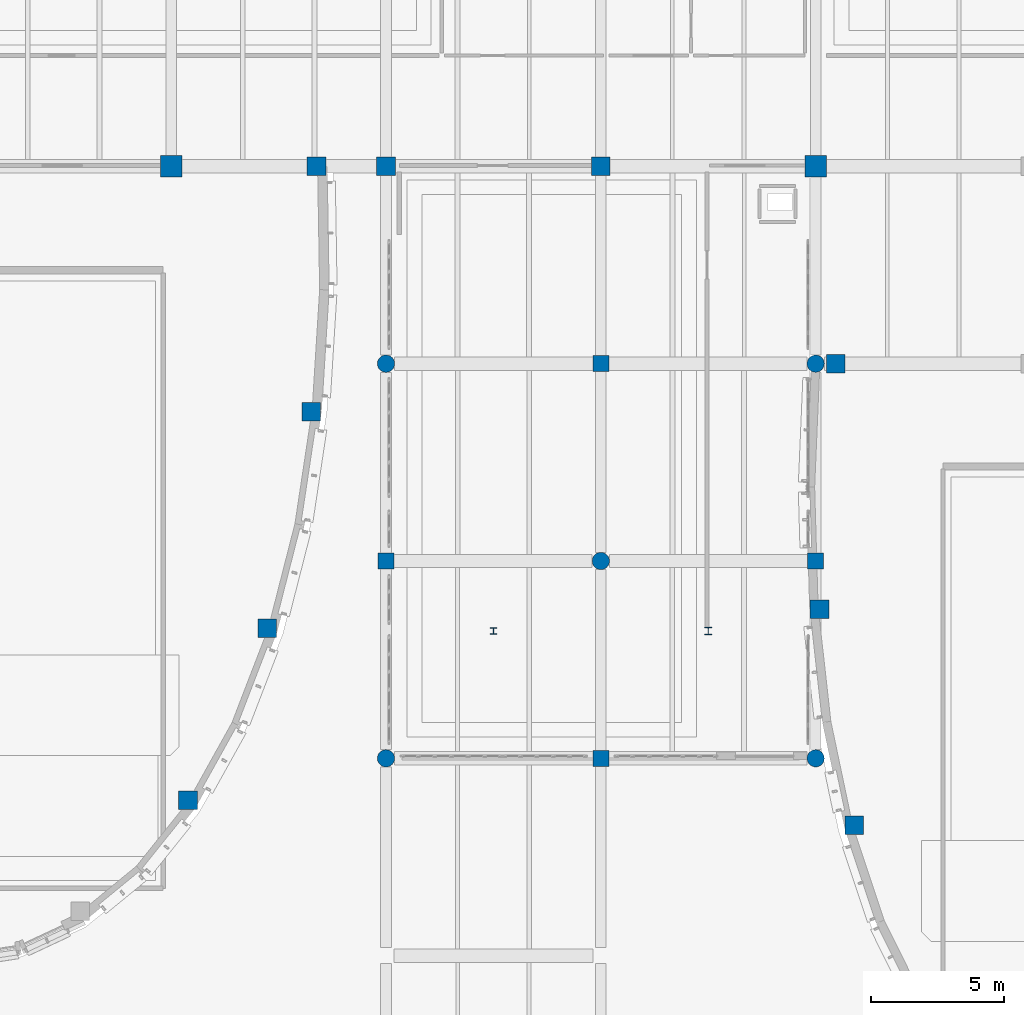
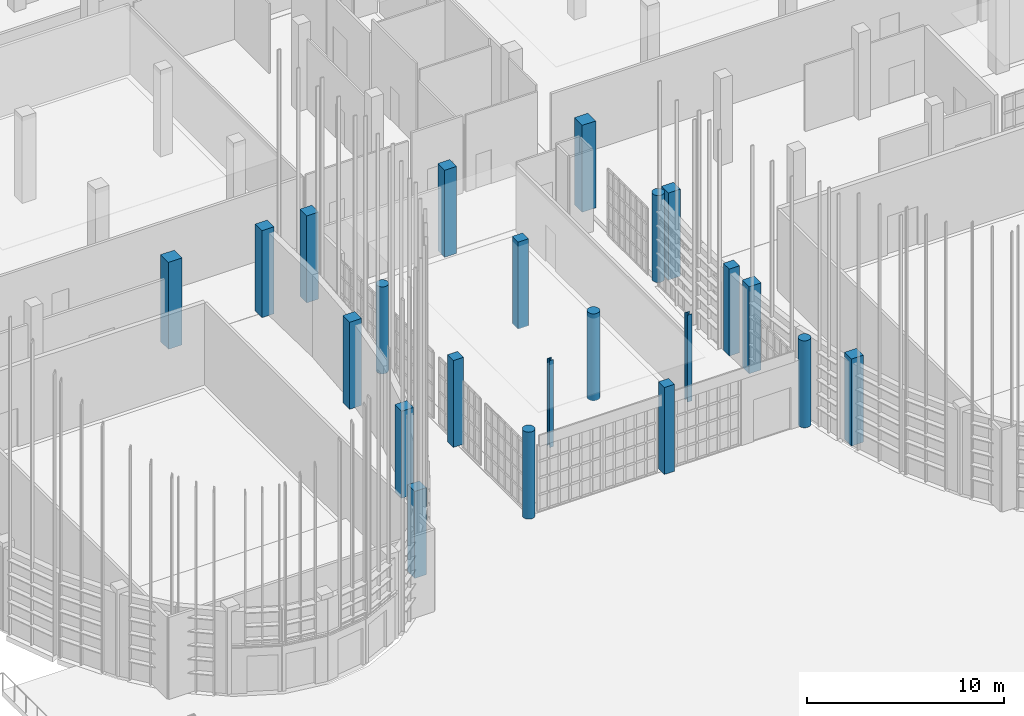
# One storey, part 6 of 372: 22 columns.
"""IFC4 building model written with IfcOpenShell, lengths in metres."""

from ifc_helpers import new_model, si_unit, direction, frame, origin, origin_2d, place, context, subcontext, project, spatial, rectangle, circle, i_section, extrude, material, material_profile, profile_set, type_object, element, save


model = new_model("IFC4")

# Units and contexts
model_context = context("Model", 3, precision=1e-05, world=origin(), true_north=direction((0.0, 1.0)))
body_context = subcontext(model_context, "Body", "Model", "MODEL_VIEW")
ifc_project = project(units=[si_unit("LENGTHUNIT", "METRE"), si_unit("AREAUNIT", "SQUARE_METRE"), si_unit("VOLUMEUNIT", "CUBIC_METRE"), si_unit("PLANEANGLEUNIT", "RADIAN"), si_unit("MASSUNIT", "GRAM", prefix="KILO")], contexts=[model_context])

# Site, building, storey
site_placement = place(None, origin())
site = spatial("IfcSite", under=ifc_project, at=site_placement, CompositionType="ELEMENT")
building_placement = place(site_placement, origin())
building = spatial("IfcBuilding", under=site, at=building_placement, Name="Kaelora Sail Theatre", CompositionType="ELEMENT")
storey_placement = place(building_placement, origin())
storey = spatial("IfcBuildingStorey", under=building, at=storey_placement, Name="L00", CompositionType="ELEMENT", Elevation=0.0)

# Columns
ifc_material_1 = material(Name="Steel S355", Category="steel")
ifc_material_profile_1 = material_profile(ifc_material_1, i_section(OverallWidth=0.239990234375, OverallDepth=0.239990234375, WebThickness=0.010009765625, FlangeThickness=0.01708984375, FilletRadius=0.02099609375, at=origin_2d()), Name="HEB 240")
ifc_profile_set_1 = profile_set([ifc_material_profile_1], Name="Steel S355")
column_type_1 = type_object("IfcColumnType", Name="STR-COL-C-HEB240", PredefinedType="COLUMN", material=ifc_profile_set_1)
column_1_placement = place(storey_placement, frame((110.85009765625, 43.5, 0.0), z_axis=(0.0, 0.0, 1.0), x_axis=(1.0, 0.0, 0.0)))
element("IfcColumn", 1, at=column_1_placement, inside=storey, type_object=column_type_1, Name="East Foyer portal column L00-03", PredefinedType="COLUMN", context=body_context, shape_type="SweptSolid", body=[
    extrude(i_section(OverallWidth=0.239990234375, OverallDepth=0.239990234375, WebThickness=0.010009765625, FlangeThickness=0.01708984375, FilletRadius=0.02099609375, at=origin_2d()), origin(), (0.0, 0.0, 1.0), 5.39990234375),
])
ifc_material_2 = material(Name="Steel S355", Category="steel")
ifc_material_profile_2 = material_profile(ifc_material_2, i_section(OverallWidth=0.280029296875, OverallDepth=0.280029296875, WebThickness=0.010498046875, FlangeThickness=0.01806640625, FilletRadius=0.02392578125, at=origin_2d()), Name="HEB 280")
ifc_profile_set_2 = profile_set([ifc_material_profile_2], Name="Steel S355")
column_type_2 = type_object("IfcColumnType", Name="STR-COL-C-HEB280", PredefinedType="COLUMN", material=ifc_profile_set_2)
column_2_placement = place(storey_placement, frame((118.949951171875, 43.5, 0.0), z_axis=(0.0, 0.0, 1.0), x_axis=(1.0, 0.0, 0.0)))
element("IfcColumn", 2, at=column_2_placement, inside=storey, type_object=column_type_2, Name="East Foyer portal column L00-04", PredefinedType="COLUMN", context=body_context, shape_type="SweptSolid", body=[
    extrude(i_section(OverallWidth=0.280029296875, OverallDepth=0.280029296875, WebThickness=0.010498046875, FlangeThickness=0.01806640625, FilletRadius=0.02392578125, at=origin_2d()), origin(), (0.0, 0.0, 1.0), 5.39990234375),
])
ifc_material_3 = material(Name="Concrete C40/50", Category="concrete")
ifc_material_profile_3 = material_profile(ifc_material_3, rectangle(XDim=0.60009765625, YDim=0.60009765625, at=origin_2d()), Name="RC-COL 600x600")
ifc_profile_set_3 = profile_set([ifc_material_profile_3], Name="Concrete C40/50")
column_type_3 = type_object("IfcColumnType", Name="STR-COL-C-RC600", PredefinedType="COLUMN", material=ifc_profile_set_3)
for number, where, z_axis, x_axis, name in (
    (3, (106.800048828125, 46.139892578125, 0.0), (0.0, 0.0, 1.0), (1.0, 0.0, 0.0), "Column 14/G (L00)"),
    (4, (114.89990234375, 38.699951171875, 0.0), (0.0, 0.0, 1.0), (1.0, 0.0, 0.0), "Column 15/F (L00)"),
    (5, (114.89990234375, 53.580078125, 0.0), (0.0, 0.0, 1.0), (1.0, 0.0, 0.0), "Column 15/H (L00)"),
    (6, (123.0, 46.139892578125, 0.0), (0.0, 0.0, 1.0), (1.0, 0.0, 0.0), "Column 16/G (L00)"),
):
    element("IfcColumn", number, at=place(storey_placement, frame(where, z_axis=z_axis, x_axis=x_axis)), inside=storey, type_object=column_type_3, Name=name, PredefinedType="COLUMN", context=body_context, shape_type="SweptSolid", body=[
        extrude(rectangle(XDim=0.60009765625, YDim=0.60009765625, at=origin_2d()), origin(), (0.0, 0.0, 1.0), 5.39990234375),
    ])
ifc_material_4 = material(Name="Concrete C45/55", Category="concrete")
ifc_material_profile_4 = material_profile(ifc_material_4, rectangle(XDim=0.699951171875, YDim=0.699951171875, at=origin_2d()), Name="RC-COL 700x700")
ifc_profile_set_4 = profile_set([ifc_material_profile_4], Name="Concrete C45/55")
column_type_4 = type_object("IfcColumnType", Name="STR-COL-C-RC700", PredefinedType="COLUMN", material=ifc_profile_set_4)
for number, where, z_axis, x_axis, name in (
    (7, (106.800048828125, 61.02001953125, 0.0), (0.0, 0.0, 1.0), (1.0, 0.0, 0.0), "Column 14/I (L00)"),
    (8, (114.89990234375, 61.02001953125, 0.0), (0.0, 0.0, 1.0), (1.0, 0.0, 0.0), "Column 15/I (L00)"),
    (9, (104.179931640625, 61.02001953125, 0.0), (0.0, 0.0, 1.0), (1.0, 0.0, 0.0), "Studio Theatre north corner column NE (L00)"),
    (10, (103.98291015625, 51.76416015625, 0.0), (0.0, 0.0, 1.0), (1.0, 0.0, 0.0), "Studio Theatre drum column K02 (L00)"),
    (11, (102.3193359375, 43.604736328125, 0.0), (0.0, 0.0, 1.0), (1.0, 0.0, 0.0), "Studio Theatre drum column K04 (L00)"),
    (12, (99.334716796875, 37.115234375, 0.0), (0.0, 0.0, 1.0), (1.0, 0.0, 0.0), "Studio Theatre drum column K06 (L00)"),
    (13, (123.75, 53.580078125, 0.0), (0.0, 0.0, 1.0), (1.0, 0.0, 0.0), "Black-Box Theatre north corner column NW (L00)"),
    (14, (124.451171875, 36.177978515625, 0.0), (0.0, 0.0, 1.0), (1.0, 0.0, 0.0), "Black-Box Theatre drum column K16 (L00)"),
    (15, (123.1455078125, 44.324951171875, 0.0), (0.0, 0.0, 1.0), (1.0, 0.0, 0.0), "Black-Box Theatre drum column K18 (L00)"),
):
    element("IfcColumn", number, at=place(storey_placement, frame(where, z_axis=z_axis, x_axis=x_axis)), inside=storey, type_object=column_type_4, Name=name, PredefinedType="COLUMN", context=body_context, shape_type="SweptSolid", body=[
        extrude(rectangle(XDim=0.699951171875, YDim=0.699951171875, at=origin_2d()), origin(), (0.0, 0.0, 1.0), 5.39990234375),
    ])
ifc_material_5 = material(Name="Concrete C50/60", Category="concrete")
ifc_material_profile_5 = material_profile(ifc_material_5, rectangle(XDim=0.800048828125, YDim=0.800048828125, at=origin_2d()), Name="RC-COL 800x800")
ifc_profile_set_5 = profile_set([ifc_material_profile_5], Name="Concrete C50/60")
column_type_5 = type_object("IfcColumnType", Name="STR-COL-C-RC800", PredefinedType="COLUMN", material=ifc_profile_set_5)
for number, where, z_axis, x_axis, name in (
    (16, (98.699951171875, 61.02001953125, 0.0), (0.0, 0.0, 1.0), (1.0, 0.0, 0.0), "Column 13/I (L00)"),
    (17, (123.0, 61.02001953125, 0.0), (0.0, 0.0, 1.0), (1.0, 0.0, 0.0), "Column 16/I (L00)"),
):
    element("IfcColumn", number, at=place(storey_placement, frame(where, z_axis=z_axis, x_axis=x_axis)), inside=storey, type_object=column_type_5, Name=name, PredefinedType="COLUMN", context=body_context, shape_type="SweptSolid", body=[
        extrude(rectangle(XDim=0.800048828125, YDim=0.800048828125, at=origin_2d()), origin(), (0.0, 0.0, 1.0), 5.39990234375),
    ])
ifc_material_6 = material(Name="Concrete C45/55", Category="concrete")
ifc_material_profile_6 = material_profile(ifc_material_6, circle(Radius=0.324951171875, at=origin_2d()), Name="RC-CCOL D650")
ifc_profile_set_6 = profile_set([ifc_material_profile_6], Name="Concrete C45/55")
column_type_6 = type_object("IfcColumnType", Name="STR-COL-C-RCD650", PredefinedType="COLUMN", material=ifc_profile_set_6)
for number, where, z_axis, x_axis, name in (
    (18, (106.800048828125, 38.699951171875, 0.0), (0.0, 0.0, 1.0), (1.0, 0.0, 0.0), "Column 14/F (L00)"),
    (19, (106.800048828125, 53.580078125, 0.0), (0.0, 0.0, 1.0), (1.0, 0.0, 0.0), "Column 14/H (L00)"),
    (20, (114.89990234375, 46.139892578125, 0.0), (0.0, 0.0, 1.0), (1.0, 0.0, 0.0), "Column 15/G (L00)"),
    (21, (123.0, 38.699951171875, 0.0), (0.0, 0.0, 1.0), (1.0, 0.0, 0.0), "Column 16/F (L00)"),
    (22, (123.0, 53.580078125, 0.0), (0.0, 0.0, 1.0), (1.0, 0.0, 0.0), "Column 16/H (L00)"),
):
    element("IfcColumn", number, at=place(storey_placement, frame(where, z_axis=z_axis, x_axis=x_axis)), inside=storey, type_object=column_type_6, Name=name, PredefinedType="COLUMN", context=body_context, shape_type="SweptSolid", body=[
        extrude(circle(Radius=0.324951171875, at=origin_2d()), origin(), (0.0, 0.0, 1.0), 5.39990234375),
    ])

save(model, "model.ifc")
